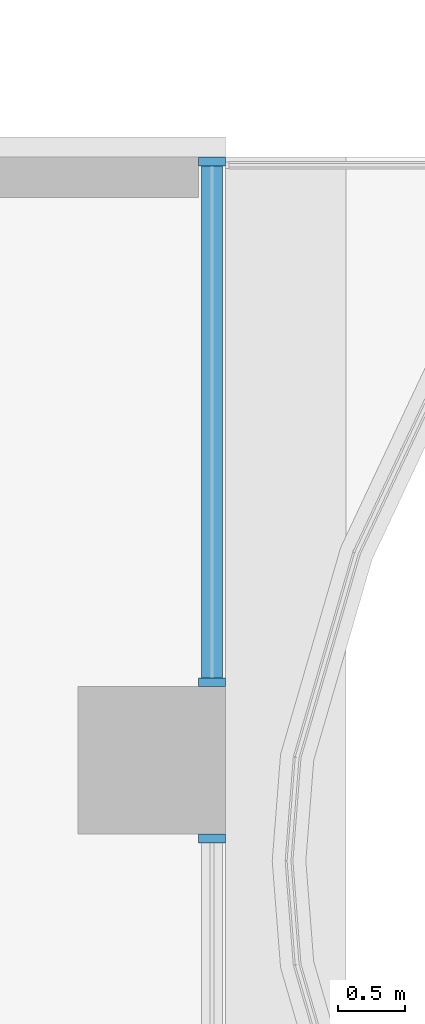
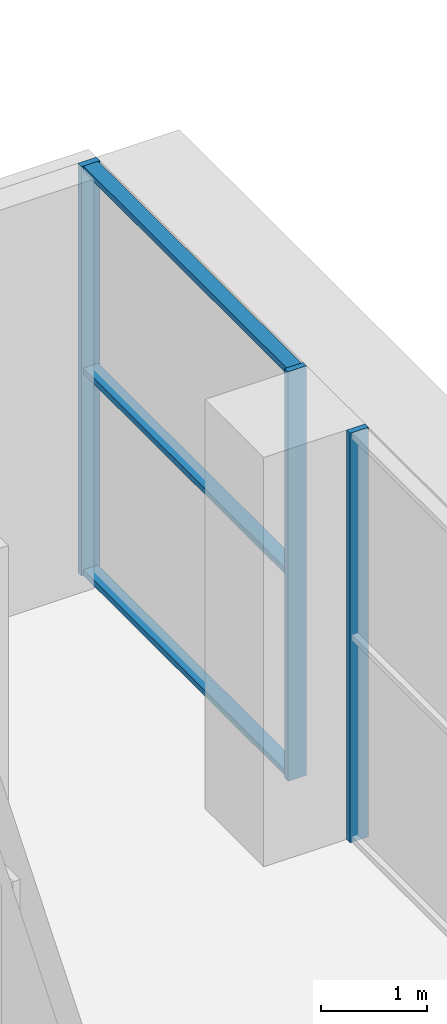
# One storey, part 6 of 16: 6 members, 2 elements without a shape of their own.
"""IFC4 building model written with IfcOpenShell, lengths in metres."""

from ifc_helpers import new_model, si_unit, direction, frame, origin, origin_2d, place, context, subcontext, project, spatial, rectangle, extrude, material, material_profile, profile_set, type_object, element, aggregate, save


model = new_model("IFC4")

# Units and contexts
model_context = context("Model", 3, precision=1e-05, world=origin(), true_north=direction((0.0, 1.0)))
body_context = subcontext(model_context, "Body", "Model", "MODEL_VIEW")
ifc_project = project(units=[si_unit("LENGTHUNIT", "METRE"), si_unit("AREAUNIT", "SQUARE_METRE"), si_unit("VOLUMEUNIT", "CUBIC_METRE"), si_unit("PLANEANGLEUNIT", "RADIAN"), si_unit("MASSUNIT", "GRAM", prefix="KILO")], contexts=[model_context])

# Site, building, storey
site_placement = place(None, origin())
site = spatial("IfcSite", under=ifc_project, at=site_placement, CompositionType="ELEMENT")
building_placement = place(site_placement, origin())
building = spatial("IfcBuilding", under=site, at=building_placement, Name="Orbiselva Terraces", CompositionType="ELEMENT")
storey_placement = place(building_placement, frame((0.0, 0.0, 174.4)))
storey = spatial("IfcBuildingStorey", under=building, at=storey_placement, Name="L44", CompositionType="ELEMENT", Elevation=174.4)

# Curtain wall, member
ifc_material_1 = material(Name="Clear low-e glazing in aluminium frame", Category="aluminium")
curtain_wall_type = type_object("IfcCurtainWallType", Name="ENV-CW-SKY", PredefinedType="NOTDEFINED", material=ifc_material_1)
curtain_wall_1_placement = place(storey_placement, origin())
curtain_wall_1 = element("IfcCurtainWall", 1, at=curtain_wall_1_placement, inside=storey, type_object=curtain_wall_type, Name="Curtain wall L44 E", PredefinedType="NOTDEFINED")
ifc_material_2 = material(Name="Anodised aluminium", Category="aluminium")
ifc_material_profile_1 = material_profile(ifc_material_2, rectangle(XDim=0.2, YDim=0.065, at=origin_2d()), Name="AL 65x200")
ifc_profile_set_1 = profile_set([ifc_material_profile_1], Name="Anodised aluminium")
member_type_1 = type_object("IfcMemberType", Name="ENV-CW-SKY-MULLION-65x200", PredefinedType="MULLION", material=ifc_profile_set_1)
member_1_placement = place(storey_placement, frame((22.4, 12.9175, 0.0), z_axis=(0.0, 0.0, 1.0), x_axis=(-1.0, 0.0, 0.0)))
member_1 = element("IfcMember", 2, at=member_1_placement, type_object=member_type_1, Name="CW3 mullion 2", PredefinedType="MULLION", context=body_context, shape_type="SweptSolid", body=[
    extrude(rectangle(XDim=0.2, YDim=0.065, at=origin_2d()), origin(), (0.0, 0.0, 1.0), 4.7),
])
aggregate(curtain_wall_1, [member_1])

# Curtain wall, members
curtain_wall_2_placement = place(storey_placement, origin())
curtain_wall_2 = element("IfcCurtainWall", 3, at=curtain_wall_2_placement, inside=storey, type_object=curtain_wall_type, Name="Curtain wall L44 E", PredefinedType="NOTDEFINED")
member_2_placement = place(storey_placement, frame((22.4, 14.0825, 0.0), z_axis=(0.0, 0.0, 1.0), x_axis=(-1.0, 0.0, 0.0)))
member_2 = element("IfcMember", 4, at=member_2_placement, type_object=member_type_1, Name="CW3 mullion 1", PredefinedType="MULLION", context=body_context, shape_type="SweptSolid", body=[
    extrude(rectangle(XDim=0.2, YDim=0.065, at=origin_2d()), origin(), (0.0, 0.0, 1.0), 4.7),
])
member_3_placement = place(storey_placement, frame((22.4, 17.9675, 0.0), z_axis=(0.0, 0.0, 1.0), x_axis=(-1.0, 0.0, 0.0)))
member_3 = element("IfcMember", 5, at=member_3_placement, type_object=member_type_1, Name="CW3 mullion 2", PredefinedType="MULLION", context=body_context, shape_type="SweptSolid", body=[
    extrude(rectangle(XDim=0.2, YDim=0.065, at=origin_2d()), origin(), (0.0, 0.0, 1.0), 4.7),
])
ifc_material_profile_2 = material_profile(ifc_material_2, rectangle(XDim=0.16, YDim=0.065, at=origin_2d()), Name="AL 65x160")
ifc_profile_set_2 = profile_set([ifc_material_profile_2], Name="Anodised aluminium")
member_type_2 = type_object("IfcMemberType", Name="ENV-CW-SKY-TRANSOM-65x160", PredefinedType="USERDEFINED", material=ifc_profile_set_2)
member_4_placement = place(storey_placement, frame((22.4, 14.115, 0.0325), z_axis=(0.0, 1.0, 0.0), x_axis=(-1.0, 0.0, 0.0)))
member_4 = element("IfcMember", 6, at=member_4_placement, type_object=member_type_2, Name="CW3 transom 1.1", ObjectType="TRANSOM", PredefinedType="USERDEFINED", context=body_context, shape_type="SweptSolid", body=[
    extrude(rectangle(XDim=0.16, YDim=0.065, at=origin_2d()), origin(), (0.0, 0.0, 1.0), 3.82),
])
member_5_placement = place(storey_placement, frame((22.4, 14.115, 2.35), z_axis=(0.0, 1.0, 0.0), x_axis=(-1.0, 0.0, 0.0)))
member_5 = element("IfcMember", 7, at=member_5_placement, type_object=member_type_2, Name="CW3 transom 1.2", ObjectType="TRANSOM", PredefinedType="USERDEFINED", context=body_context, shape_type="SweptSolid", body=[
    extrude(rectangle(XDim=0.16, YDim=0.065, at=origin_2d()), origin(), (0.0, 0.0, 1.0), 3.82),
])
member_6_placement = place(storey_placement, frame((22.4, 14.115, 4.6675), z_axis=(0.0, 1.0, 0.0), x_axis=(-1.0, 0.0, 0.0)))
member_6 = element("IfcMember", 8, at=member_6_placement, type_object=member_type_2, Name="CW3 transom 1.3", ObjectType="TRANSOM", PredefinedType="USERDEFINED", context=body_context, shape_type="SweptSolid", body=[
    extrude(rectangle(XDim=0.16, YDim=0.065, at=origin_2d()), origin(), (0.0, 0.0, 1.0), 3.82),
])
aggregate(curtain_wall_2, [member_2, member_3, member_4, member_5, member_6])

save(model, "model.ifc")
